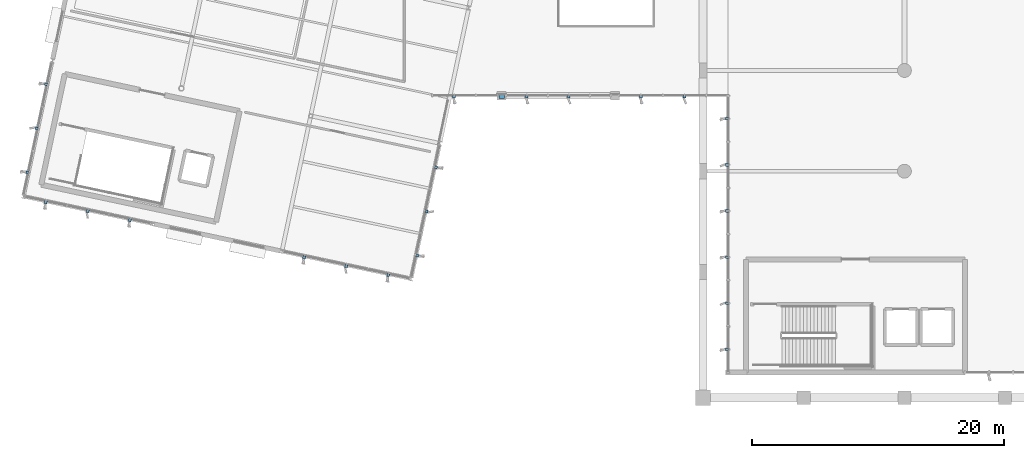
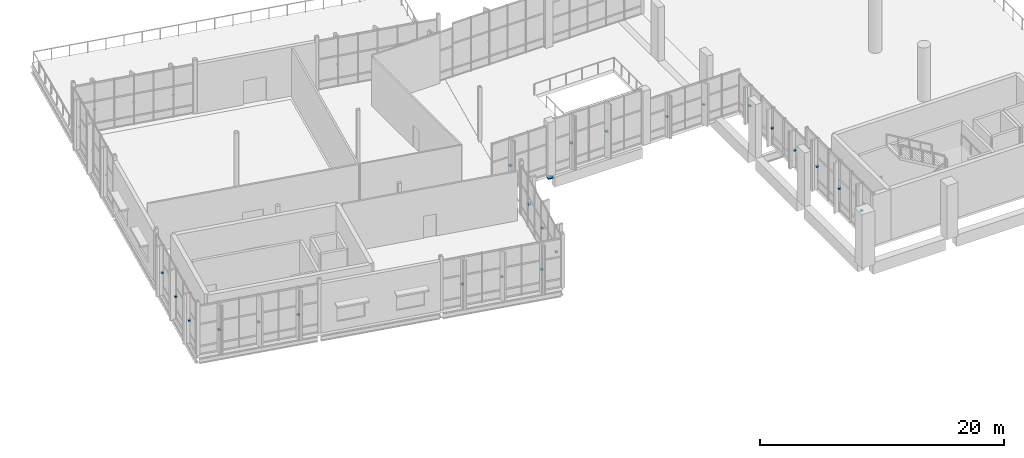
# One storey, part 151 of 176: 24 discrete accessories.
"""IFC4 building model written with IfcOpenShell, lengths in metres."""

from ifc_helpers import new_model, si_unit, direction, frame, origin, origin_2d, place, context, subcontext, project, spatial, rectangle, extrude, material, type_object, element, save


model = new_model("IFC4")

# Units and contexts
model_context = context("Model", 3, precision=1e-05, world=origin(), true_north=direction((0.0, 1.0)))
body_context = subcontext(model_context, "Body", "Model", "MODEL_VIEW")
ifc_project = project(units=[si_unit("LENGTHUNIT", "METRE"), si_unit("AREAUNIT", "SQUARE_METRE"), si_unit("VOLUMEUNIT", "CUBIC_METRE"), si_unit("PLANEANGLEUNIT", "RADIAN"), si_unit("MASSUNIT", "GRAM", prefix="KILO")], contexts=[model_context])

# Site, building, storey
site_placement = place(None, origin())
site = spatial("IfcSite", under=ifc_project, at=site_placement, CompositionType="ELEMENT")
building_placement = place(site_placement, origin())
building = spatial("IfcBuilding", under=site, at=building_placement, Name="Khorjan Park Terminus", CompositionType="ELEMENT")
storey_placement = place(building_placement, frame((0.0, 0.0, 6.0)))
storey = spatial("IfcBuildingStorey", under=building, at=storey_placement, Name="L01", CompositionType="ELEMENT", Elevation=6.0)

# Discrete accessories
ifc_material = material(Name="Steel S355", Category="steel")
discrete_accessory_type_1 = type_object("IfcDiscreteAccessoryType", Name="ACC-BRK-FIN", PredefinedType="BRACKET", material=ifc_material)
for number, where, z_axis, x_axis, name in (
    (1, (49.91, 37.1667, 2.1913), (0.0, 0.0, 1.0), (0.0, -1.0, 0.0), "Solar fin structural bracket BK-01 (CW-V2-W-L01-01-1)"),
    (2, (49.91, 33.5, 2.1913), (0.0, 0.0, 1.0), (0.0, -1.0, 0.0), "Solar fin structural bracket BK-01 (CW-V2-W-L01-01-3)"),
    (3, (49.91, 29.8333, 2.1913), (0.0, 0.0, 1.0), (0.0, -1.0, 0.0), "Solar fin structural bracket BK-01 (CW-V2-W-L01-01-5)"),
    (4, (49.91, 48.1667, 1.5792), (0.0, 0.0, 1.0), (0.0, -1.0, 0.0), "Solar fin structural bracket BK-01 (CW-V2-W-L01-02-1)"),
    (5, (49.91, 44.5, 1.5792), (0.0, 0.0, 1.0), (0.0, -1.0, 0.0), "Solar fin structural bracket BK-01 (CW-V2-W-L01-02-3)"),
    (6, (49.91, 40.8333, 1.5792), (0.0, 0.0, 1.0), (0.0, -1.0, 0.0), "Solar fin structural bracket BK-01 (CW-V2-W-L01-02-5)"),
    (7, (28.2233, 49.91, 2.1485), (0.0, 0.0, 1.0), (1.0, 0.0, 0.0), "Solar fin structural bracket BK-01 (CW-V4L-S-L01-1-1)"),
    (8, (33.998, 49.91, 2.36), (0.0, 0.0, 1.0), (1.0, 0.0, 0.0), "Solar fin structural bracket BK-01 (CW-V4L-S-L01-2-1)"),
    (9, (37.334, 49.91, 2.36), (0.0, 0.0, 1.0), (1.0, 0.0, 0.0), "Solar fin structural bracket BK-01 (CW-V4L-S-L01-2-3)"),
    (10, (43.064, 49.91, 1.8313), (0.0, 0.0, 1.0), (1.0, 0.0, 0.0), "Solar fin structural bracket BK-01 (CW-V4L-S-L01-3-1)"),
    (11, (46.532, 49.91, 1.8313), (0.0, 0.0, 1.0), (1.0, 0.0, 0.0), "Solar fin structural bracket BK-01 (CW-V4L-S-L01-3-3)"),
    (12, (-4.2204, 41.5298, 2.1485), (0.0, 0.0, 1.0), (0.978147146591, -0.207913827382, 0.0), "Solar fin structural bracket BK-01 (CW-V4-S-L01-B01-1)"),
    (13, (-0.8783, 40.8194, 2.1485), (0.0, 0.0, 1.0), (0.978147146591, -0.207913827382, 0.0), "Solar fin structural bracket BK-01 (CW-V4-S-L01-B01-3)"),
    (14, (2.4638, 40.109, 2.1485), (0.0, 0.0, 1.0), (0.978147146591, -0.207913827382, 0.0), "Solar fin structural bracket BK-01 (CW-V4-S-L01-B01-5)"),
    (15, (16.3108, 37.1658, 2.1485), (0.0, 0.0, 1.0), (0.978147146591, -0.207913827382, 0.0), "Solar fin structural bracket BK-01 (CW-V4-S-L01-B03-1)"),
    (16, (19.6529, 36.4554, 2.1485), (0.0, 0.0, 1.0), (0.978147146591, -0.207913827382, 0.0), "Solar fin structural bracket BK-01 (CW-V4-S-L01-B03-3)"),
    (17, (22.995, 35.745, 2.1485), (0.0, 0.0, 1.0), (0.978147146591, -0.207913827382, 0.0), "Solar fin structural bracket BK-01 (CW-V4-S-L01-B03-5)"),
    (18, (25.2989, 37.3103, 2.1485), (0.0, 0.0, 1.0), (0.207916776669, 0.978146519689, 0.0), "Solar fin structural bracket BK-01 (CW-V4-E-L01-B01-1)"),
    (19, (26.0431, 40.8119, 2.1485), (0.0, 0.0, 1.0), (0.207916776669, 0.978146519689, 0.0), "Solar fin structural bracket BK-01 (CW-V4-E-L01-B01-3)"),
    (20, (26.7874, 44.3134, 2.1485), (0.0, 0.0, 1.0), (0.207916776669, 0.978146519689, 0.0), "Solar fin structural bracket BK-01 (CW-V4-E-L01-B01-5)"),
    (21, (-4.2001, 50.9006, 2.1485), (0.0, 0.0, 1.0), (-0.207917551169, -0.978146355059, 0.0), "Solar fin structural bracket BK-01 (CW-V4-W-L01-B03-1)"),
    (22, (-4.9444, 47.3987, 2.1485), (0.0, 0.0, 1.0), (-0.207917551169, -0.978146355059, 0.0), "Solar fin structural bracket BK-01 (CW-V4-W-L01-B03-3)"),
    (23, (-5.6888, 43.8968, 2.1485), (0.0, 0.0, 1.0), (-0.207917551169, -0.978146355059, 0.0), "Solar fin structural bracket BK-01 (CW-V4-W-L01-B03-5)"),
):
    element("IfcDiscreteAccessory", number, at=place(storey_placement, frame(where, z_axis=z_axis, x_axis=x_axis)), inside=storey, type_object=discrete_accessory_type_1, Name=name, PredefinedType="BRACKET", context=body_context, shape_type="SweptSolid", body=[
        extrude(rectangle(XDim=0.22, YDim=0.22, at=origin_2d()), origin(), (0.0, 0.0, 1.0), 0.14),
    ])
discrete_accessory_type_2 = type_object("IfcDiscreteAccessoryType", Name="ACC-SHOE-PTFE", PredefinedType="SHOE", material=ifc_material)
discrete_accessory_placement = place(storey_placement, frame((32.0, 50.0, -0.41), z_axis=(0.0, 0.0, 1.0), x_axis=(1.0, 0.0, 0.0)))
element("IfcDiscreteAccessory", 24, at=discrete_accessory_placement, inside=storey, type_object=discrete_accessory_type_2, Name="Unguided PTFE elastomeric movement-joint bearing BRG-01 (7)", PredefinedType="SHOE", context=body_context, shape_type="SweptSolid", body=[
    extrude(rectangle(XDim=0.45, YDim=0.45, at=origin_2d()), origin(), (0.0, 0.0, 1.0), 0.08),
])

save(model, "model.ifc")
